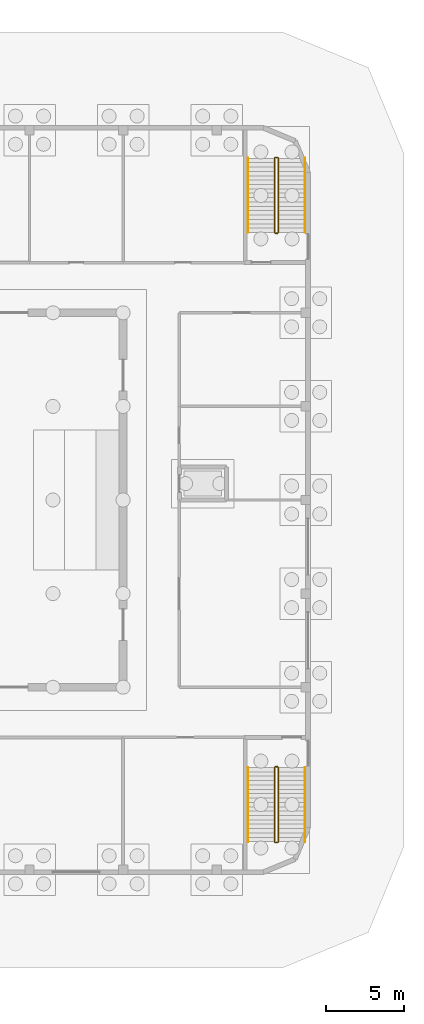
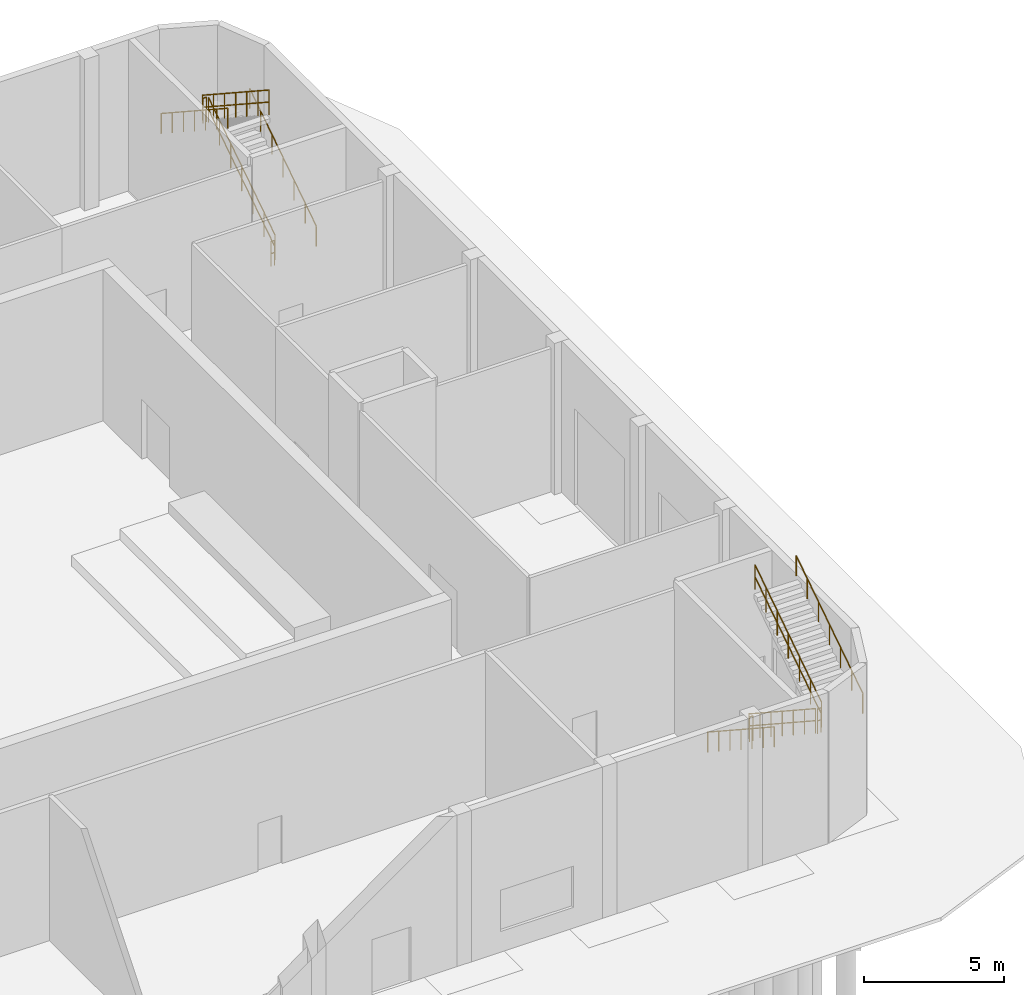
# One storey, part 43 of 44: 12 railings.
"""IFC4 building model written with IfcOpenShell, lengths in metres."""

import ifcopenshell
import ifcopenshell.guid

model = None  # the IFC model being written
_history = None  # IfcOwnerHistory: only IFC2X3 demands one
_inside = {}  # id of a spatial element -> (the spatial element, [elements in it])
_under = {}  # id of a project, library or spatial element -> (it, [spatial elements below it])
_declared = {}  # id of a project -> (the project, [libraries it declares])
_typed = {}  # id of a type object -> (the type object, [elements of that type])
_made_of = {}  # id of a material, layer set ... -> (it, [elements and type objects made of it])


def new_model(schema):
    """Start an empty IFC model of exactly this schema.

    Asked for "IFC4X3", IfcOpenShell would pick the latest addendum, in which some entities
    have other attributes; the version numbers below select the first issue.
    IFC2X3 requires an IfcOwnerHistory on every rooted entity: one is made here for all.
    """
    global model, _history
    if schema == "IFC4X3":
        model = ifcopenshell.file(schema_version=(4, 3, 0, 0))
    else:
        model = ifcopenshell.file(schema=schema)
    _inside.clear()
    _under.clear()
    _declared.clear()
    _typed.clear()
    _made_of.clear()
    _history = None
    if model.schema == "IFC2X3":
        org = make("IfcOrganization", Name="unknown")
        user = make(
            "IfcPersonAndOrganization",
            ThePerson=make("IfcPerson", FamilyName="unknown"),
            TheOrganization=org,
        )
        app = make(
            "IfcApplication",
            ApplicationDeveloper=org,
            Version="unknown",
            ApplicationFullName="unknown",
            ApplicationIdentifier="unknown",
        )
        _history = make(
            "IfcOwnerHistory",
            OwningUser=user,
            OwningApplication=app,
            ChangeAction="ADDED",
            CreationDate=0,
        )
    return model


def make(cls, **values):
    """One entity of the class cls with the attributes given. An attribute that is None is left unset."""
    return model.create_entity(
        cls, **{name: value for name, value in values.items() if value is not None}
    )


def rooted(cls, **values):
    """An entity with a GlobalId (a new one), such as an element, a storey or a relation."""
    return make(cls, GlobalId=ifcopenshell.guid.new(), OwnerHistory=_history, **values)


def si_unit(unit_type, name, prefix=None):
    """IfcSIUnit, for example si_unit("LENGTHUNIT", "METRE", prefix="MILLI")."""
    return make("IfcSIUnit", UnitType=unit_type, Prefix=prefix, Name=name)


def assignment(units):
    """IfcUnitAssignment: the units of a project."""
    return None if units is None else make("IfcUnitAssignment", Units=units)


def point(xyz):
    """IfcCartesianPoint."""
    return None if xyz is None else make("IfcCartesianPoint", Coordinates=xyz)


def direction(xyz):
    """IfcDirection."""
    return None if xyz is None else make("IfcDirection", DirectionRatios=xyz)


def frame(location, z_axis=None, x_axis=None):
    """IfcAxis2Placement3D, a coordinate frame: its origin and axes. An axis left out is left unset."""
    return make(
        "IfcAxis2Placement3D",
        Location=point(location),
        Axis=direction(z_axis),
        RefDirection=direction(x_axis),
    )


def frame_2d(location, x_axis=None):
    """IfcAxis2Placement2D, a coordinate frame in the plane: its origin and x axis."""
    return make(
        "IfcAxis2Placement2D", Location=point(location), RefDirection=direction(x_axis)
    )


def origin():
    """The frame at (0, 0, 0) with its axes left unset."""
    return frame((0.0, 0.0, 0.0))


def origin_2d():
    """The frame at (0, 0) in the plane with its x axis left unset."""
    return frame_2d((0.0, 0.0))


def place(relative_to, where):
    """IfcLocalPlacement: puts the frame where relative to a parent placement (None: the world)."""
    return make(
        "IfcLocalPlacement", PlacementRelTo=relative_to, RelativePlacement=where
    )


def context(
    kind, dimensions, precision=None, world=None, true_north=None, identifier=None
):
    """IfcGeometricRepresentationContext, for example the 3D "Model" context."""
    return make(
        "IfcGeometricRepresentationContext",
        ContextIdentifier=identifier,
        ContextType=kind,
        CoordinateSpaceDimension=dimensions,
        Precision=precision,
        WorldCoordinateSystem=world,
        TrueNorth=true_north,
    )


def subcontext(parent, identifier, kind, view, scale=None):
    """IfcGeometricRepresentationSubContext, for example "Body" below "Model"."""
    return make(
        "IfcGeometricRepresentationSubContext",
        ContextIdentifier=identifier,
        ContextType=kind,
        ParentContext=parent,
        TargetScale=scale,
        TargetView=view,
    )


def project(units=None, contexts=None):
    """IfcProject with its units and contexts."""
    return rooted(
        "IfcProject",
        Name="project",
        RepresentationContexts=contexts,
        UnitsInContext=assignment(units),
    )


def spatial(cls, under=None, at=None, **own):
    """A site, building, storey or space (cls), placed at a placement, below another one or the project."""
    s = rooted(cls, ObjectPlacement=at, **own)
    if under is not None:
        _under.setdefault(under.id(), (under, []))[1].append(s)
    return s


def profile(cls, at=None, kind="AREA", **sizes):
    """A parametric profile (cls). Its sizes go by their IFC names, for example OverallWidth=200.0."""
    return make(cls, ProfileType=kind, Position=at, **sizes)


def circle(**sizes):
    """IfcCircleProfileDef."""
    return profile("IfcCircleProfileDef", **sizes)


def extrude(swept, where, along, depth):
    """IfcExtrudedAreaSolid: the profile swept, set in the frame where, extruded along a direction by depth."""
    return make(
        "IfcExtrudedAreaSolid",
        SweptArea=swept,
        Position=where,
        ExtrudedDirection=direction(along),
        Depth=depth,
    )


def shape(context_of_items, identifier, shape_type, items):
    """IfcShapeRepresentation: the items that make up one representation, for example the "Body"."""
    return make(
        "IfcShapeRepresentation",
        ContextOfItems=context_of_items,
        RepresentationIdentifier=identifier,
        RepresentationType=shape_type,
        Items=items,
    )


def material(Name=None, Category=None):
    """IfcMaterial."""
    return make("IfcMaterial", Name=Name, Category=Category)


def made_of(thing, what):
    """Note that an element or type object is made of a material, layer set ...; save() writes the relation."""
    if what is not None:
        _made_of.setdefault(what.id(), (what, []))[1].append(thing)
    return thing


def type_object(cls, material=None, **own):
    """A type object (cls), such as IfcWallType, which elements share."""
    return made_of(rooted(cls, **own), material)


def element(
    cls,
    number,
    at=None,
    inside=None,
    cuts=None,
    type_object=None,
    material=None,
    context=None,
    identifier="Body",
    shape_type=None,
    held_by="IfcProductDefinitionShape",
    body=None,
    shapes=None,
    **own,
):
    """One element of the class cls, such as IfcWall. Its Tag is "e" and its number.

    at: its placement. inside: the storey or other place that contains it. cuts: it is an
    opening in that element (IfcRelVoidsElement). A single representation is given by context,
    identifier, shape_type and body (its items); several are given by shapes. held_by: the class
    of the entity that holds the representations. save() writes the other relations.
    """
    e = rooted(cls, Tag="e%d" % number, ObjectPlacement=at, **own)
    if body is not None:
        shapes = [shape(context, identifier, shape_type, body)]
    if shapes is not None:
        e.Representation = make(held_by, Representations=shapes)
    if inside is not None:
        _inside.setdefault(inside.id(), (inside, []))[1].append(e)
    if cuts is not None:
        rooted(
            "IfcRelVoidsElement", RelatingBuildingElement=cuts, RelatedOpeningElement=e
        )
    if type_object is not None:
        _typed.setdefault(type_object.id(), (type_object, []))[1].append(e)
    return made_of(e, material)


def aggregate(whole, parts):
    """IfcRelAggregates: a whole, such as a stair, and the parts it consists of."""
    return rooted("IfcRelAggregates", RelatingObject=whole, RelatedObjects=parts)


def save(model, path):
    """Write the relations noted so far, then the file.

    IfcRelAggregates (storeys below a building ...), IfcRelContainedInSpatialStructure (elements
    in a storey), IfcRelDefinesByType, IfcRelAssociatesMaterial and IfcRelDeclares: one each for
    every whole, place, type object, material and project.
    """
    for whole, parts in _under.values():
        aggregate(whole, parts)
    for where, things in _inside.values():
        rooted(
            "IfcRelContainedInSpatialStructure",
            RelatedElements=things,
            RelatingStructure=where,
        )
    for kind, things in _typed.values():
        rooted("IfcRelDefinesByType", RelatedObjects=things, RelatingType=kind)
    for what, things in _made_of.values():
        rooted("IfcRelAssociatesMaterial", RelatedObjects=things, RelatingMaterial=what)
    for by, libraries in _declared.values():
        rooted("IfcRelDeclares", RelatingContext=by, RelatedDefinitions=libraries)
    model.write(path)


model = new_model("IFC4")

# Units and contexts
model_context = context("Model", 3, precision=1e-05, world=origin(), true_north=direction((0.0, 1.0)))
body_context = subcontext(model_context, "Body", "Model", "MODEL_VIEW")
ifc_project = project(units=[si_unit("LENGTHUNIT", "METRE"), si_unit("AREAUNIT", "SQUARE_METRE"), si_unit("VOLUMEUNIT", "CUBIC_METRE"), si_unit("PLANEANGLEUNIT", "RADIAN"), si_unit("MASSUNIT", "GRAM", prefix="KILO")], contexts=[model_context])

# Site, building, storey
site_placement = place(None, origin())
site = spatial("IfcSite", under=ifc_project, at=site_placement, CompositionType="ELEMENT")
building_placement = place(site_placement, origin())
building = spatial("IfcBuilding", under=site, at=building_placement, Name="Nakaniwa Court", CompositionType="ELEMENT")
storey_placement = place(building_placement, origin())
storey = spatial("IfcBuildingStorey", under=building, at=storey_placement, Name="L00", CompositionType="ELEMENT", Elevation=0.0)

# Railings
ifc_material_1 = material(Name="Black powder-coated steel flat bar balustrade S275", Category="steel")
railing_type_1 = type_object("IfcRailingType", Name="Hall guard 1100", PredefinedType="GUARDRAIL", material=ifc_material_1)
railing_1_placement = place(storey_placement, frame((215.699951171875, 62.860107421875, 0.183349609375)))
element("IfcRailing", 1, at=railing_1_placement, inside=storey, type_object=railing_type_1, Name="L00 ST-H3 stair guard 1", PredefinedType="GUARDRAIL", context=body_context, shape_type="SweptSolid", body=[
    extrude(circle(Radius=0.02392578125, at=origin_2d()), frame((0.0, 0.0, 1.076171875), z_axis=(0.0, -0.836616421643, 0.547789159291), x_axis=(1.0, 0.0, 0.0)), (0.0, 0.0, 1.0), 5.689697265625),
    extrude(circle(Radius=0.02392578125, at=origin_2d()), frame((0.0, 0.0, 0.550048828125), z_axis=(0.0, -0.836616421643, 0.547789159291), x_axis=(1.0, 0.0, 0.0)), (0.0, 0.0, 1.0), 5.689697265625),
    extrude(circle(Radius=0.02099609375, at=origin_2d()), origin(), (0.0, 0.0, 1.0), 1.052001953125),
    extrude(circle(Radius=0.02099609375, at=origin_2d()), frame((0.0, -0.79345703125, 0.51953125)), (0.0, 0.0, 1.0), 1.052001953125),
    extrude(circle(Radius=0.02099609375, at=origin_2d()), frame((0.0, -1.586669921875, 1.038818359375)), (0.0, 0.0, 1.0), 1.052001953125),
    extrude(circle(Radius=0.02099609375, at=origin_2d()), frame((0.0, -2.3798828125, 1.558349609375)), (0.0, 0.0, 1.0), 1.052001953125),
    extrude(circle(Radius=0.02099609375, at=origin_2d()), frame((0.0, -3.17333984375, 2.077880859375)), (0.0, 0.0, 1.0), 1.052001953125),
    extrude(circle(Radius=0.02099609375, at=origin_2d()), frame((0.0, -3.966796875, 2.59716796875)), (0.0, 0.0, 1.0), 1.052001953125),
    extrude(circle(Radius=0.02099609375, at=origin_2d()), frame((0.0, -4.760009765625, 3.11669921875)), (0.0, 0.0, 1.0), 1.052001953125),
])
railing_2_placement = place(storey_placement, frame((215.75, 58.050048828125, 3.300048828125)))
element("IfcRailing", 2, at=railing_2_placement, inside=storey, type_object=railing_type_1, Name="L00 ST-H3 stair guard 2", PredefinedType="GUARDRAIL", context=body_context, shape_type="SweptSolid", body=[
    extrude(circle(Radius=0.02392578125, at=origin_2d()), frame((0.0, 0.0, 1.076171875), z_axis=(1.0, 0.0, 0.0), x_axis=(0.0, 1.0, 0.0)), (0.0, 0.0, 1.0), 0.14990234375),
    extrude(circle(Radius=0.02392578125, at=origin_2d()), frame((0.0, 0.0, 0.550048828125), z_axis=(1.0, 0.0, 0.0), x_axis=(0.0, 1.0, 0.0)), (0.0, 0.0, 1.0), 0.14990234375),
    extrude(circle(Radius=0.02099609375, at=origin_2d()), origin(), (0.0, 0.0, 1.0), 1.052001953125),
    extrude(circle(Radius=0.02099609375, at=origin_2d()), frame((0.14990234375, 0.0, 0.0)), (0.0, 0.0, 1.0), 1.052001953125),
])
railing_3_placement = place(storey_placement, frame((215.949951171875, 58.10009765625, 3.4833984375)))
element("IfcRailing", 3, at=railing_3_placement, inside=storey, type_object=railing_type_1, Name="L00 ST-H3 stair guard 3", PredefinedType="GUARDRAIL", context=body_context, shape_type="SweptSolid", body=[
    extrude(circle(Radius=0.02392578125, at=origin_2d()), frame((0.0, 0.0, 1.076171875), z_axis=(0.0, 0.836616421643, 0.547789159291), x_axis=(-1.0, 0.0, 0.0)), (0.0, 0.0, 1.0), 5.689697265625),
    extrude(circle(Radius=0.02392578125, at=origin_2d()), frame((0.0, 0.0, 0.550048828125), z_axis=(0.0, 0.836616421643, 0.547789159291), x_axis=(-1.0, 0.0, 0.0)), (0.0, 0.0, 1.0), 5.689697265625),
    extrude(circle(Radius=0.02099609375, at=origin_2d()), origin(), (0.0, 0.0, 1.0), 1.052001953125),
    extrude(circle(Radius=0.02099609375, at=origin_2d()), frame((0.0, 0.79345703125, 0.51953125)), (0.0, 0.0, 1.0), 1.052001953125),
    extrude(circle(Radius=0.02099609375, at=origin_2d()), frame((0.0, 1.586669921875, 1.038818359375)), (0.0, 0.0, 1.0), 1.052001953125),
    extrude(circle(Radius=0.02099609375, at=origin_2d()), frame((0.0, 2.3798828125, 1.558349609375)), (0.0, 0.0, 1.0), 1.052001953125),
    extrude(circle(Radius=0.02099609375, at=origin_2d()), frame((0.0, 3.17333984375, 2.077880859375)), (0.0, 0.0, 1.0), 1.052001953125),
    extrude(circle(Radius=0.02099609375, at=origin_2d()), frame((0.0, 3.966796875, 2.59716796875)), (0.0, 0.0, 1.0), 1.052001953125),
    extrude(circle(Radius=0.02099609375, at=origin_2d()), frame((0.0, 4.760009765625, 3.11669921875)), (0.0, 0.0, 1.0), 1.052001953125),
])
railing_4_placement = place(storey_placement, frame((215.75, 62.909912109375, 0.0)))
element("IfcRailing", 4, at=railing_4_placement, inside=storey, type_object=railing_type_1, Name="L00 ST-H3 stair guard 4", PredefinedType="GUARDRAIL", context=body_context, shape_type="SweptSolid", body=[
    extrude(circle(Radius=0.02392578125, at=origin_2d()), frame((0.0, 0.0, 1.076171875), z_axis=(1.0, 0.0, 0.0), x_axis=(0.0, 1.0, 0.0)), (0.0, 0.0, 1.0), 0.14990234375),
    extrude(circle(Radius=0.02392578125, at=origin_2d()), frame((0.0, 0.0, 0.550048828125), z_axis=(1.0, 0.0, 0.0), x_axis=(0.0, 1.0, 0.0)), (0.0, 0.0, 1.0), 0.14990234375),
    extrude(circle(Radius=0.02099609375, at=origin_2d()), origin(), (0.0, 0.0, 1.0), 1.052001953125),
    extrude(circle(Radius=0.02099609375, at=origin_2d()), frame((0.14990234375, 0.0, 0.0)), (0.0, 0.0, 1.0), 1.052001953125),
])
railing_5_placement = place(storey_placement, frame((215.949951171875, 97.139892578125, 0.183349609375)))
element("IfcRailing", 5, at=railing_5_placement, inside=storey, type_object=railing_type_1, Name="L00 ST-H4 stair guard 1", PredefinedType="GUARDRAIL", context=body_context, shape_type="SweptSolid", body=[
    extrude(circle(Radius=0.02392578125, at=origin_2d()), frame((0.0, 0.0, 1.076171875), z_axis=(0.0, 0.836616421643, 0.547789159291), x_axis=(-1.0, 0.0, 0.0)), (0.0, 0.0, 1.0), 5.689697265625),
    extrude(circle(Radius=0.02392578125, at=origin_2d()), frame((0.0, 0.0, 0.550048828125), z_axis=(0.0, 0.836616421643, 0.547789159291), x_axis=(-1.0, 0.0, 0.0)), (0.0, 0.0, 1.0), 5.689697265625),
    extrude(circle(Radius=0.02099609375, at=origin_2d()), origin(), (0.0, 0.0, 1.0), 1.052001953125),
    extrude(circle(Radius=0.02099609375, at=origin_2d()), frame((0.0, 0.79345703125, 0.51953125)), (0.0, 0.0, 1.0), 1.052001953125),
    extrude(circle(Radius=0.02099609375, at=origin_2d()), frame((0.0, 1.586669921875, 1.038818359375)), (0.0, 0.0, 1.0), 1.052001953125),
    extrude(circle(Radius=0.02099609375, at=origin_2d()), frame((0.0, 2.3798828125, 1.558349609375)), (0.0, 0.0, 1.0), 1.052001953125),
    extrude(circle(Radius=0.02099609375, at=origin_2d()), frame((0.0, 3.17333984375, 2.077880859375)), (0.0, 0.0, 1.0), 1.052001953125),
    extrude(circle(Radius=0.02099609375, at=origin_2d()), frame((0.0, 3.966796875, 2.59716796875)), (0.0, 0.0, 1.0), 1.052001953125),
    extrude(circle(Radius=0.02099609375, at=origin_2d()), frame((0.0, 4.760009765625, 3.11669921875)), (0.0, 0.0, 1.0), 1.052001953125),
])
railing_6_placement = place(storey_placement, frame((215.89990234375, 101.949951171875, 3.300048828125)))
element("IfcRailing", 6, at=railing_6_placement, inside=storey, type_object=railing_type_1, Name="L00 ST-H4 stair guard 2", PredefinedType="GUARDRAIL", context=body_context, shape_type="SweptSolid", body=[
    extrude(circle(Radius=0.02392578125, at=origin_2d()), frame((0.0, 0.0, 1.076171875), z_axis=(-1.0, 0.0, 0.0), x_axis=(0.0, -1.0, 0.0)), (0.0, 0.0, 1.0), 0.14990234375),
    extrude(circle(Radius=0.02392578125, at=origin_2d()), frame((0.0, 0.0, 0.550048828125), z_axis=(-1.0, 0.0, 0.0), x_axis=(0.0, -1.0, 0.0)), (0.0, 0.0, 1.0), 0.14990234375),
    extrude(circle(Radius=0.02099609375, at=origin_2d()), origin(), (0.0, 0.0, 1.0), 1.052001953125),
    extrude(circle(Radius=0.02099609375, at=origin_2d()), frame((-0.14990234375, 0.0, 0.0)), (0.0, 0.0, 1.0), 1.052001953125),
])
railing_7_placement = place(storey_placement, frame((215.699951171875, 101.89990234375, 3.4833984375)))
element("IfcRailing", 7, at=railing_7_placement, inside=storey, type_object=railing_type_1, Name="L00 ST-H4 stair guard 3", PredefinedType="GUARDRAIL", context=body_context, shape_type="SweptSolid", body=[
    extrude(circle(Radius=0.02392578125, at=origin_2d()), frame((0.0, 0.0, 1.076171875), z_axis=(0.0, -0.836616421643, 0.547789159291), x_axis=(1.0, 0.0, 0.0)), (0.0, 0.0, 1.0), 5.689697265625),
    extrude(circle(Radius=0.02392578125, at=origin_2d()), frame((0.0, 0.0, 0.550048828125), z_axis=(0.0, -0.836616421643, 0.547789159291), x_axis=(1.0, 0.0, 0.0)), (0.0, 0.0, 1.0), 5.689697265625),
    extrude(circle(Radius=0.02099609375, at=origin_2d()), origin(), (0.0, 0.0, 1.0), 1.052001953125),
    extrude(circle(Radius=0.02099609375, at=origin_2d()), frame((0.0, -0.79345703125, 0.51953125)), (0.0, 0.0, 1.0), 1.052001953125),
    extrude(circle(Radius=0.02099609375, at=origin_2d()), frame((0.0, -1.586669921875, 1.038818359375)), (0.0, 0.0, 1.0), 1.052001953125),
    extrude(circle(Radius=0.02099609375, at=origin_2d()), frame((0.0, -2.3798828125, 1.558349609375)), (0.0, 0.0, 1.0), 1.052001953125),
    extrude(circle(Radius=0.02099609375, at=origin_2d()), frame((0.0, -3.17333984375, 2.077880859375)), (0.0, 0.0, 1.0), 1.052001953125),
    extrude(circle(Radius=0.02099609375, at=origin_2d()), frame((0.0, -3.966796875, 2.59716796875)), (0.0, 0.0, 1.0), 1.052001953125),
    extrude(circle(Radius=0.02099609375, at=origin_2d()), frame((0.0, -4.760009765625, 3.11669921875)), (0.0, 0.0, 1.0), 1.052001953125),
])
railing_8_placement = place(storey_placement, frame((215.89990234375, 97.090087890625, 0.0)))
element("IfcRailing", 8, at=railing_8_placement, inside=storey, type_object=railing_type_1, Name="L00 ST-H4 stair guard 4", PredefinedType="GUARDRAIL", context=body_context, shape_type="SweptSolid", body=[
    extrude(circle(Radius=0.02392578125, at=origin_2d()), frame((0.0, 0.0, 1.076171875), z_axis=(-1.0, 0.0, 0.0), x_axis=(0.0, -1.0, 0.0)), (0.0, 0.0, 1.0), 0.14990234375),
    extrude(circle(Radius=0.02392578125, at=origin_2d()), frame((0.0, 0.0, 0.550048828125), z_axis=(-1.0, 0.0, 0.0), x_axis=(0.0, -1.0, 0.0)), (0.0, 0.0, 1.0), 0.14990234375),
    extrude(circle(Radius=0.02099609375, at=origin_2d()), origin(), (0.0, 0.0, 1.0), 1.052001953125),
    extrude(circle(Radius=0.02099609375, at=origin_2d()), frame((-0.14990234375, 0.0, 0.0)), (0.0, 0.0, 1.0), 1.052001953125),
])
ifc_material_2 = material(Name="Brushed stainless steel handrail Grade 304", Category="steel")
railing_type_2 = type_object("IfcRailingType", Name="Hall stair handrail 900", PredefinedType="HANDRAIL", material=ifc_material_2)
railing_9_placement = place(storey_placement, frame((214.0, 62.860107421875, 0.183349609375)))
element("IfcRailing", 9, at=railing_9_placement, inside=storey, type_object=railing_type_2, Name="L00 ST-H3 stair handrail 1", PredefinedType="HANDRAIL", context=body_context, shape_type="SweptSolid", body=[
    extrude(circle(Radius=0.02392578125, at=origin_2d()), frame((0.0, 0.0, 0.8759765625), z_axis=(0.0, -0.836616421643, 0.547789159291), x_axis=(1.0, 0.0, 0.0)), (0.0, 0.0, 1.0), 5.689697265625),
    extrude(circle(Radius=0.02099609375, at=origin_2d()), origin(), (0.0, 0.0, 1.0), 0.851806640625),
    extrude(circle(Radius=0.02099609375, at=origin_2d()), frame((0.0, -0.79345703125, 0.51953125)), (0.0, 0.0, 1.0), 0.851806640625),
    extrude(circle(Radius=0.02099609375, at=origin_2d()), frame((0.0, -1.586669921875, 1.038818359375)), (0.0, 0.0, 1.0), 0.851806640625),
    extrude(circle(Radius=0.02099609375, at=origin_2d()), frame((0.0, -2.3798828125, 1.558349609375)), (0.0, 0.0, 1.0), 0.851806640625),
    extrude(circle(Radius=0.02099609375, at=origin_2d()), frame((0.0, -3.17333984375, 2.077880859375)), (0.0, 0.0, 1.0), 0.851806640625),
    extrude(circle(Radius=0.02099609375, at=origin_2d()), frame((0.0, -3.966796875, 2.59716796875)), (0.0, 0.0, 1.0), 0.851806640625),
    extrude(circle(Radius=0.02099609375, at=origin_2d()), frame((0.0, -4.760009765625, 3.11669921875)), (0.0, 0.0, 1.0), 0.851806640625),
])
for number, where, name in (
    (10, (217.64990234375, 58.10009765625, 3.4833984375), "L00 ST-H3 stair handrail 2"),
    (11, (217.64990234375, 97.139892578125, 0.183349609375), "L00 ST-H4 stair handrail 1"),
):
    element("IfcRailing", number, at=place(storey_placement, frame(where)), inside=storey, type_object=railing_type_2, Name=name, PredefinedType="HANDRAIL", context=body_context, shape_type="SweptSolid", body=[
        extrude(circle(Radius=0.02392578125, at=origin_2d()), frame((0.0, 0.0, 0.8759765625), z_axis=(0.0, 0.836616421643, 0.547789159291), x_axis=(-1.0, 0.0, 0.0)), (0.0, 0.0, 1.0), 5.689697265625),
        extrude(circle(Radius=0.02099609375, at=origin_2d()), origin(), (0.0, 0.0, 1.0), 0.851806640625),
        extrude(circle(Radius=0.02099609375, at=origin_2d()), frame((0.0, 0.79345703125, 0.51953125)), (0.0, 0.0, 1.0), 0.851806640625),
        extrude(circle(Radius=0.02099609375, at=origin_2d()), frame((0.0, 1.586669921875, 1.038818359375)), (0.0, 0.0, 1.0), 0.851806640625),
        extrude(circle(Radius=0.02099609375, at=origin_2d()), frame((0.0, 2.3798828125, 1.558349609375)), (0.0, 0.0, 1.0), 0.851806640625),
        extrude(circle(Radius=0.02099609375, at=origin_2d()), frame((0.0, 3.17333984375, 2.077880859375)), (0.0, 0.0, 1.0), 0.851806640625),
        extrude(circle(Radius=0.02099609375, at=origin_2d()), frame((0.0, 3.966796875, 2.59716796875)), (0.0, 0.0, 1.0), 0.851806640625),
        extrude(circle(Radius=0.02099609375, at=origin_2d()), frame((0.0, 4.760009765625, 3.11669921875)), (0.0, 0.0, 1.0), 0.851806640625),
    ])
railing_10_placement = place(storey_placement, frame((214.0, 101.89990234375, 3.4833984375)))
element("IfcRailing", 12, at=railing_10_placement, inside=storey, type_object=railing_type_2, Name="L00 ST-H4 stair handrail 2", PredefinedType="HANDRAIL", context=body_context, shape_type="SweptSolid", body=[
    extrude(circle(Radius=0.02392578125, at=origin_2d()), frame((0.0, 0.0, 0.8759765625), z_axis=(0.0, -0.836616421643, 0.547789159291), x_axis=(1.0, 0.0, 0.0)), (0.0, 0.0, 1.0), 5.689697265625),
    extrude(circle(Radius=0.02099609375, at=origin_2d()), origin(), (0.0, 0.0, 1.0), 0.851806640625),
    extrude(circle(Radius=0.02099609375, at=origin_2d()), frame((0.0, -0.79345703125, 0.51953125)), (0.0, 0.0, 1.0), 0.851806640625),
    extrude(circle(Radius=0.02099609375, at=origin_2d()), frame((0.0, -1.586669921875, 1.038818359375)), (0.0, 0.0, 1.0), 0.851806640625),
    extrude(circle(Radius=0.02099609375, at=origin_2d()), frame((0.0, -2.3798828125, 1.558349609375)), (0.0, 0.0, 1.0), 0.851806640625),
    extrude(circle(Radius=0.02099609375, at=origin_2d()), frame((0.0, -3.17333984375, 2.077880859375)), (0.0, 0.0, 1.0), 0.851806640625),
    extrude(circle(Radius=0.02099609375, at=origin_2d()), frame((0.0, -3.966796875, 2.59716796875)), (0.0, 0.0, 1.0), 0.851806640625),
    extrude(circle(Radius=0.02099609375, at=origin_2d()), frame((0.0, -4.760009765625, 3.11669921875)), (0.0, 0.0, 1.0), 0.851806640625),
])

save(model, "model.ifc")
